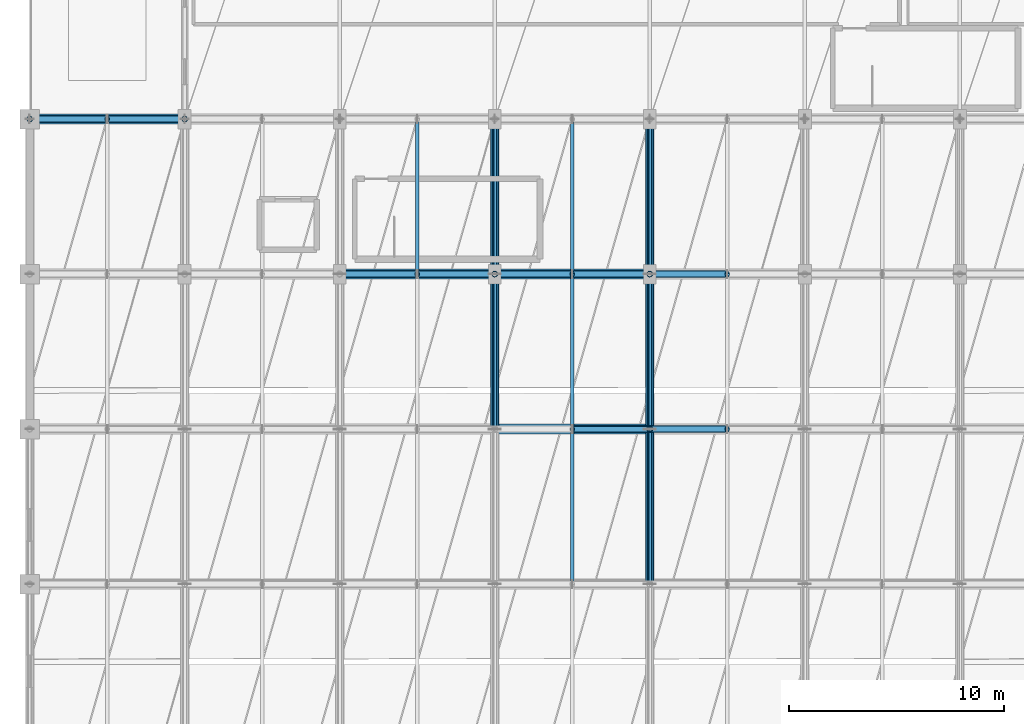
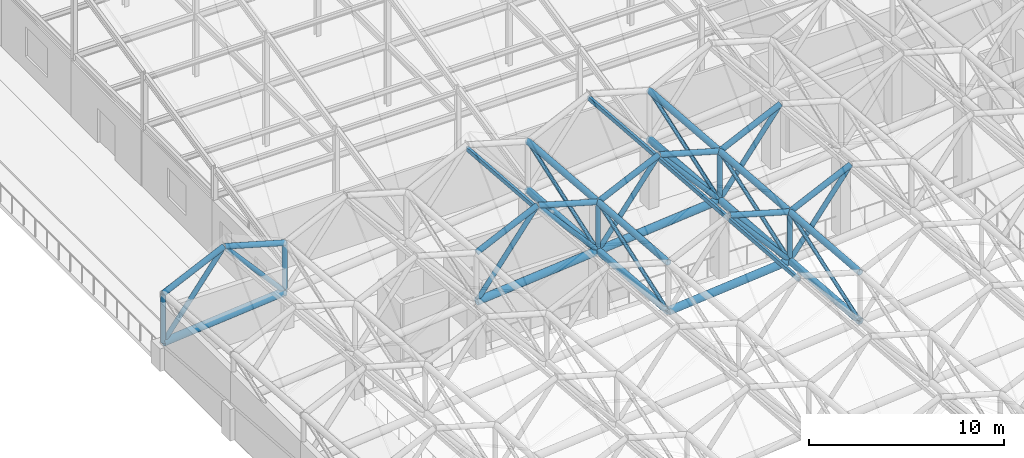
# One storey, part 24 of 113: 46 members.
"""IFC4 building model written with IfcOpenShell, lengths in metres."""

from ifc_helpers import new_model, si_unit, direction, frame, origin, origin_2d, place, context, subcontext, project, spatial, hollow_rectangle, hollow_circle, extrude, material, material_profile, profile_set, type_object, element, save


model = new_model("IFC4")

# Units and contexts
model_context = context("Model", 3, precision=1e-05, world=origin(), true_north=direction((0.0, 1.0)))
body_context = subcontext(model_context, "Body", "Model", "MODEL_VIEW")
ifc_project = project(units=[si_unit("LENGTHUNIT", "METRE"), si_unit("AREAUNIT", "SQUARE_METRE"), si_unit("VOLUMEUNIT", "CUBIC_METRE"), si_unit("PLANEANGLEUNIT", "RADIAN"), si_unit("MASSUNIT", "GRAM", prefix="KILO")], contexts=[model_context])

# Site, building, storey
site_placement = place(None, origin())
site = spatial("IfcSite", under=ifc_project, at=site_placement, CompositionType="ELEMENT")
building_placement = place(site_placement, origin())
building = spatial("IfcBuilding", under=site, at=building_placement, Name="Carrowvane Square Congress Hotel", CompositionType="ELEMENT")
storey_placement = place(building_placement, frame((0.0, 0.0, 15.0)))
storey = spatial("IfcBuildingStorey", under=building, at=storey_placement, Name="L03", CompositionType="ELEMENT", Elevation=15.0)

# Members
ifc_material_1 = material(Name="Steel S355", Category="steel")
ifc_material_profile_1 = material_profile(ifc_material_1, hollow_rectangle(XDim=0.14990234375, YDim=0.25, WallThickness=0.012451171875, at=origin_2d()), Name="RHS 250x150x12.5")
ifc_profile_set_1 = profile_set([ifc_material_profile_1], Name="Steel S355")
member_type_1 = type_object("IfcMemberType", Name="MEM-PR-RHS250", PredefinedType="PURLIN", material=ifc_profile_set_1)
for number, where, z_axis, x_axis, name in (
    (1, (29.60009765625, 48.60009765625, 7.82421875), (0.0, 0.996866873479, -0.079097639413), (-1.0, 0.0, 0.0), "Space-frame ridge purlin 469"),
    (2, (36.800048828125, 34.199951171875, 9.624267578125), (0.0, 0.996866873479, -0.079097639413), (-1.0, 0.0, 0.0), "Space-frame ridge purlin 474"),
):
    element("IfcMember", number, at=place(storey_placement, frame(where, z_axis=z_axis, x_axis=x_axis)), inside=storey, type_object=member_type_1, Name=name, PredefinedType="PURLIN", context=body_context, shape_type="SweptSolid", body=[
        extrude(hollow_rectangle(XDim=0.14990234375, YDim=0.25, WallThickness=0.012451171875, at=origin_2d()), origin(), (0.0, 0.0, 1.0), 7.22265625),
    ])
member_1_placement = place(storey_placement, frame((36.800048828125, 41.39990234375, 9.052978515625), z_axis=(0.0, 0.996864419257, -0.079128563864), x_axis=(-1.0, 0.0, 0.0)))
element("IfcMember", 3, at=member_1_placement, inside=storey, type_object=member_type_1, Name="Space-frame ridge purlin 475", PredefinedType="PURLIN", context=body_context, shape_type="SweptSolid", body=[
    extrude(hollow_rectangle(XDim=0.14990234375, YDim=0.25, WallThickness=0.012451171875, at=origin_2d()), origin(), (0.0, 0.0, 1.0), 7.222900390625),
])
member_2_placement = place(storey_placement, frame((36.800048828125, 48.60009765625, 8.4814453125), z_axis=(0.0, 0.996864207606, -0.079131230206), x_axis=(-1.0, 0.0, 0.0)))
element("IfcMember", 4, at=member_2_placement, inside=storey, type_object=member_type_1, Name="Space-frame ridge purlin 476", PredefinedType="PURLIN", context=body_context, shape_type="SweptSolid", body=[
    extrude(hollow_rectangle(XDim=0.14990234375, YDim=0.25, WallThickness=0.012451171875, at=origin_2d()), origin(), (0.0, 0.0, 1.0), 7.22265625),
])
ifc_material_2 = material(Name="Steel S355", Category="steel")
ifc_material_profile_2 = material_profile(ifc_material_2, hollow_circle(Radius=0.136474609375, WallThickness=0.01611328125, at=origin_2d()), Name="CHS 273.0x16")
ifc_profile_set_2 = profile_set([ifc_material_profile_2], Name="Steel S355")
member_type_2 = type_object("IfcMemberType", Name="MEM-ST-CHS273", PredefinedType="STRUT", material=ifc_profile_set_2)
for number, where, z_axis, x_axis, name in (
    (5, (11.60009765625, 55.800048828125, 1.419921875), (0.0, 0.0, 1.0), (1.0, 0.0, 0.0), "Space-frame vertical post 505"),
    (6, (18.800048828125, 55.800048828125, 2.0771484375), (0.0, 0.0, 1.0), (1.0, 0.0, 0.0), "Space-frame vertical post 513"),
    (7, (33.199951171875, 48.60009765625, 3.962890625), (0.0, 0.0, 1.0), (1.0, 0.0, 0.0), "Space-frame vertical post 528"),
    (8, (40.39990234375, 41.39990234375, 5.19140625), (0.0, 0.0, 1.0), (1.0, 0.0, 0.0), "Space-frame vertical post 535"),
):
    element("IfcMember", number, at=place(storey_placement, frame(where, z_axis=z_axis, x_axis=x_axis)), inside=storey, type_object=member_type_2, Name=name, PredefinedType="STRUT", context=body_context, shape_type="SweptSolid", body=[
        extrude(hollow_circle(Radius=0.136474609375, WallThickness=0.01611328125, at=origin_2d()), origin(), (0.0, 0.0, 1.0), 3.050048828125),
    ])
member_3_placement = place(storey_placement, frame((40.39990234375, 48.60009765625, 4.6201171875), z_axis=(0.0, 0.0, 1.0), x_axis=(1.0, 0.0, 0.0)))
element("IfcMember", 9, at=member_3_placement, inside=storey, type_object=member_type_2, Name="Space-frame vertical post 536", PredefinedType="STRUT", context=body_context, shape_type="SweptSolid", body=[
    extrude(hollow_circle(Radius=0.136474609375, WallThickness=0.01611328125, at=origin_2d()), origin(), (0.0, 0.0, 1.0), 3.0498046875),
])
ifc_material_3 = material(Name="Steel S355", Category="steel")
ifc_material_profile_3 = material_profile(ifc_material_3, hollow_circle(Radius=0.161865234375, WallThickness=0.01611328125, at=origin_2d()), Name="CHS 323.9x16")
ifc_profile_set_3 = profile_set([ifc_material_profile_3], Name="Steel S355")
member_type_3 = type_object("IfcMemberType", Name="MEM-TC-CHS324", PredefinedType="CHORD", material=ifc_profile_set_3)
member_4_placement = place(storey_placement, frame((36.800048828125, 41.39990234375, 9.27294921875), z_axis=(0.961314549928, 0.0, -0.275452965307), x_axis=(0.0, 1.0, 0.0)))
element("IfcMember", 10, at=member_4_placement, inside=storey, type_object=member_type_3, Name="Space-frame folded top chord 361", PredefinedType="CHORD", context=body_context, shape_type="SweptSolid", body=[
    extrude(hollow_circle(Radius=0.161865234375, WallThickness=0.01611328125, at=origin_2d()), origin(), (0.0, 0.0, 1.0), 3.74462890625),
])
for number, where, z_axis, x_axis, name in (
    (11, (40.39990234375, 41.39990234375, 8.241455078125), (0.905368957574, 0.0, 0.424625777199), (0.0, 1.0, 0.0), "Space-frame folded top chord 365"),
    (12, (26.0, 48.60009765625, 6.355712890625), (0.905368957574, 0.0, 0.424625777199), (0.0, 1.0, 0.0), "Space-frame folded top chord 390"),
):
    element("IfcMember", number, at=place(storey_placement, frame(where, z_axis=z_axis, x_axis=x_axis)), inside=storey, type_object=member_type_3, Name=name, PredefinedType="CHORD", context=body_context, shape_type="SweptSolid", body=[
        extrude(hollow_circle(Radius=0.161865234375, WallThickness=0.01611328125, at=origin_2d()), origin(), (0.0, 0.0, 1.0), 3.976318359375),
    ])
member_5_placement = place(storey_placement, frame((29.60009765625, 48.60009765625, 8.044189453125), z_axis=(0.961331812043, 0.0, -0.275392714416), x_axis=(0.0, 1.0, 0.0)))
element("IfcMember", 13, at=member_5_placement, inside=storey, type_object=member_type_3, Name="Space-frame folded top chord 391", PredefinedType="CHORD", context=body_context, shape_type="SweptSolid", body=[
    extrude(hollow_circle(Radius=0.161865234375, WallThickness=0.01611328125, at=origin_2d()), origin(), (0.0, 0.0, 1.0), 3.74462890625),
])
member_6_placement = place(storey_placement, frame((33.199951171875, 48.60009765625, 7.012939453125), z_axis=(0.905368957574, 0.0, 0.424625777199), x_axis=(0.0, 1.0, 0.0)))
element("IfcMember", 14, at=member_6_placement, inside=storey, type_object=member_type_3, Name="Space-frame folded top chord 395", PredefinedType="CHORD", context=body_context, shape_type="SweptSolid", body=[
    extrude(hollow_circle(Radius=0.161865234375, WallThickness=0.01611328125, at=origin_2d()), origin(), (0.0, 0.0, 1.0), 3.976318359375),
])
member_7_placement = place(storey_placement, frame((36.800048828125, 48.60009765625, 8.701416015625), z_axis=(0.961314549928, 0.0, -0.275452965307), x_axis=(0.0, 1.0, 0.0)))
element("IfcMember", 15, at=member_7_placement, inside=storey, type_object=member_type_3, Name="Space-frame folded top chord 396", PredefinedType="CHORD", context=body_context, shape_type="SweptSolid", body=[
    extrude(hollow_circle(Radius=0.161865234375, WallThickness=0.01611328125, at=origin_2d()), origin(), (0.0, 0.0, 1.0), 3.74462890625),
])
member_8_placement = place(storey_placement, frame((40.39990234375, 48.60009765625, 7.669921875), z_axis=(0.905345352914, 0.0, 0.424676102408), x_axis=(0.0, 1.0, 0.0)))
element("IfcMember", 16, at=member_8_placement, inside=storey, type_object=member_type_3, Name="Space-frame folded top chord 400", PredefinedType="CHORD", context=body_context, shape_type="SweptSolid", body=[
    extrude(hollow_circle(Radius=0.161865234375, WallThickness=0.01611328125, at=origin_2d()), origin(), (0.0, 0.0, 1.0), 3.9765625),
])
member_9_placement = place(storey_placement, frame((11.60009765625, 55.800048828125, 4.469970703125), z_axis=(0.905334279236, 0.0, 0.424699709018), x_axis=(0.0, 1.0, 0.0)))
element("IfcMember", 17, at=member_9_placement, inside=storey, type_object=member_type_3, Name="Space-frame folded top chord 415", PredefinedType="CHORD", context=body_context, shape_type="SweptSolid", body=[
    extrude(hollow_circle(Radius=0.161865234375, WallThickness=0.01611328125, at=origin_2d()), origin(), (0.0, 0.0, 1.0), 3.976318359375),
])
member_10_placement = place(storey_placement, frame((15.199951171875, 55.800048828125, 6.15869140625), z_axis=(0.961319496164, 0.0, -0.275435702651), x_axis=(0.0, 1.0, 0.0)))
element("IfcMember", 18, at=member_10_placement, inside=storey, type_object=member_type_3, Name="Space-frame folded top chord 416", PredefinedType="CHORD", context=body_context, shape_type="SweptSolid", body=[
    extrude(hollow_circle(Radius=0.161865234375, WallThickness=0.01611328125, at=origin_2d()), origin(), (0.0, 0.0, 1.0), 3.744873046875),
])
ifc_material_4 = material(Name="Steel S355", Category="steel")
ifc_material_profile_4 = material_profile(ifc_material_4, hollow_circle(Radius=0.177734375, WallThickness=0.02001953125, at=origin_2d()), Name="CHS 355.6x20")
ifc_profile_set_4 = profile_set([ifc_material_profile_4], Name="Steel S355")
member_type_4 = type_object("IfcMemberType", Name="MEM-TC-CHS356", PredefinedType="CHORD", material=ifc_profile_set_4)
member_11_placement = place(storey_placement, frame((33.199951171875, 41.39990234375, 7.584228515625), z_axis=(0.0, 0.996867084951, -0.079094974189), x_axis=(-1.0, 0.0, 0.0)))
element("IfcMember", 19, at=member_11_placement, inside=storey, type_object=member_type_4, Name="Space-frame valley top chord 79", PredefinedType="CHORD", context=body_context, shape_type="SweptSolid", body=[
    extrude(hollow_circle(Radius=0.177734375, WallThickness=0.02001953125, at=origin_2d()), origin(), (0.0, 0.0, 1.0), 7.222900390625),
])
for number, where, z_axis, x_axis, name in (
    (20, (33.199951171875, 48.60009765625, 7.012939453125), (0.0, 0.996864207606, -0.079131230206), (-1.0, 0.0, 0.0), "Space-frame valley top chord 82"),
    (21, (40.39990234375, 34.199951171875, 8.812744140625), (0.0, 0.996866873479, -0.079097639413), (-1.0, 0.0, 0.0), "Space-frame valley top chord 97"),
):
    element("IfcMember", number, at=place(storey_placement, frame(where, z_axis=z_axis, x_axis=x_axis)), inside=storey, type_object=member_type_4, Name=name, PredefinedType="CHORD", context=body_context, shape_type="SweptSolid", body=[
        extrude(hollow_circle(Radius=0.177734375, WallThickness=0.02001953125, at=origin_2d()), origin(), (0.0, 0.0, 1.0), 7.22265625),
    ])
member_12_placement = place(storey_placement, frame((40.39990234375, 41.39990234375, 8.241455078125), z_axis=(0.0, 0.996864419257, -0.079128563864), x_axis=(-1.0, 0.0, 0.0)))
element("IfcMember", 22, at=member_12_placement, inside=storey, type_object=member_type_4, Name="Space-frame valley top chord 100", PredefinedType="CHORD", context=body_context, shape_type="SweptSolid", body=[
    extrude(hollow_circle(Radius=0.177734375, WallThickness=0.02001953125, at=origin_2d()), origin(), (0.0, 0.0, 1.0), 7.222900390625),
])
member_13_placement = place(storey_placement, frame((40.39990234375, 48.60009765625, 7.669921875), z_axis=(0.0, 0.996866873479, -0.079097639413), x_axis=(-1.0, 0.0, 0.0)))
element("IfcMember", 23, at=member_13_placement, inside=storey, type_object=member_type_4, Name="Space-frame valley top chord 103", PredefinedType="CHORD", context=body_context, shape_type="SweptSolid", body=[
    extrude(hollow_circle(Radius=0.177734375, WallThickness=0.02001953125, at=origin_2d()), origin(), (0.0, 0.0, 1.0), 7.22265625),
])
ifc_material_5 = material(Name="Steel S355", Category="steel")
ifc_material_profile_5 = material_profile(ifc_material_5, hollow_circle(Radius=0.203125, WallThickness=0.02001953125, at=origin_2d()), Name="CHS 406.4x20")
ifc_profile_set_5 = profile_set([ifc_material_profile_5], Name="Steel S355")
member_type_5 = type_object("IfcMemberType", Name="MEM-TC-CHS406", PredefinedType="CHORD", material=ifc_profile_set_5)
member_14_placement = place(storey_placement, frame((33.199951171875, 41.39990234375, 4.5341796875), z_axis=(0.0, 0.996867084951, -0.079094974189), x_axis=(-1.0, 0.0, 0.0)))
element("IfcMember", 24, at=member_14_placement, inside=storey, type_object=member_type_5, Name="Space-frame bottom chord 80", PredefinedType="CHORD", context=body_context, shape_type="SweptSolid", body=[
    extrude(hollow_circle(Radius=0.203125, WallThickness=0.02001953125, at=origin_2d()), origin(), (0.0, 0.0, 1.0), 7.222900390625),
])
for number, where, z_axis, x_axis, name in (
    (25, (33.199951171875, 48.60009765625, 3.962890625), (0.0, 0.996864207606, -0.079131230206), (-1.0, 0.0, 0.0), "Space-frame bottom chord 83"),
    (26, (40.39990234375, 34.199951171875, 5.762939453125), (0.0, 0.996864207606, -0.079131230206), (-1.0, 0.0, 0.0), "Space-frame bottom chord 98"),
):
    element("IfcMember", number, at=place(storey_placement, frame(where, z_axis=z_axis, x_axis=x_axis)), inside=storey, type_object=member_type_5, Name=name, PredefinedType="CHORD", context=body_context, shape_type="SweptSolid", body=[
        extrude(hollow_circle(Radius=0.203125, WallThickness=0.02001953125, at=origin_2d()), origin(), (0.0, 0.0, 1.0), 7.22265625),
    ])
member_15_placement = place(storey_placement, frame((40.39990234375, 41.39990234375, 5.19140625), z_axis=(0.0, 0.996867084951, -0.079094974189), x_axis=(-1.0, 0.0, 0.0)))
element("IfcMember", 27, at=member_15_placement, inside=storey, type_object=member_type_5, Name="Space-frame bottom chord 101", PredefinedType="CHORD", context=body_context, shape_type="SweptSolid", body=[
    extrude(hollow_circle(Radius=0.203125, WallThickness=0.02001953125, at=origin_2d()), origin(), (0.0, 0.0, 1.0), 7.222900390625),
])
member_16_placement = place(storey_placement, frame((40.39990234375, 48.60009765625, 4.6201171875), z_axis=(0.0, 0.996864207606, -0.079131230206), x_axis=(-1.0, 0.0, 0.0)))
element("IfcMember", 28, at=member_16_placement, inside=storey, type_object=member_type_5, Name="Space-frame bottom chord 104", PredefinedType="CHORD", context=body_context, shape_type="SweptSolid", body=[
    extrude(hollow_circle(Radius=0.203125, WallThickness=0.02001953125, at=origin_2d()), origin(), (0.0, 0.0, 1.0), 7.22265625),
])
ifc_material_6 = material(Name="Steel S355", Category="steel")
ifc_material_profile_6 = material_profile(ifc_material_6, hollow_circle(Radius=0.228515625, WallThickness=0.02490234375, at=origin_2d()), Name="CHS 457.0x25")
ifc_profile_set_6 = profile_set([ifc_material_profile_6], Name="Steel S355")
member_type_6 = type_object("IfcMemberType", Name="MEM-TC-CHS457", PredefinedType="CHORD", material=ifc_profile_set_6)
for number, where, z_axis, x_axis, name in (
    (29, (33.199951171875, 41.39990234375, 4.5341796875), (0.995859646859, 0.0, 0.090904145988), (0.0, 1.0, 0.0), "Space-frame cross bottom chord 359"),
    (30, (26.0, 48.60009765625, 3.3056640625), (0.995859646859, 0.0, 0.090904145988), (0.0, 1.0, 0.0), "Space-frame cross bottom chord 389"),
    (31, (33.199951171875, 48.60009765625, 3.962890625), (0.995859646859, 0.0, 0.090904145988), (0.0, 1.0, 0.0), "Space-frame cross bottom chord 394"),
    (32, (11.60009765625, 55.800048828125, 1.419921875), (0.995859646859, 0.0, 0.090904145988), (0.0, 1.0, 0.0), "Space-frame cross bottom chord 414"),
):
    element("IfcMember", number, at=place(storey_placement, frame(where, z_axis=z_axis, x_axis=x_axis)), inside=storey, type_object=member_type_6, Name=name, PredefinedType="CHORD", context=body_context, shape_type="SweptSolid", body=[
        extrude(hollow_circle(Radius=0.228515625, WallThickness=0.02490234375, at=origin_2d()), origin(), (0.0, 0.0, 1.0), 7.22998046875),
    ])
ifc_material_7 = material(Name="Steel S355", Category="steel")
ifc_material_profile_7 = material_profile(ifc_material_7, hollow_circle(Radius=0.109619140625, WallThickness=0.012451171875, at=origin_2d()), Name="CHS 219.1x12.5")
ifc_profile_set_7 = profile_set([ifc_material_profile_7], Name="Steel S355")
member_type_7 = type_object("IfcMemberType", Name="MEM-TD-CHS219", PredefinedType="BRACE", material=ifc_profile_set_7)
member_17_placement = place(storey_placement, frame((33.199951171875, 41.39990234375, 4.5341796875), z_axis=(0.0, 0.945537424098, 0.325513409293), x_axis=(-1.0, 0.0, 0.0)))
element("IfcMember", 33, at=member_17_placement, inside=storey, type_object=member_type_7, Name="Space-frame web diagonal 81", PredefinedType="BRACE", context=body_context, shape_type="SweptSolid", body=[
    extrude(hollow_circle(Radius=0.109619140625, WallThickness=0.012451171875, at=origin_2d()), origin(), (0.0, 0.0, 1.0), 7.614990234375),
])
for number, where, z_axis, x_axis, name in (
    (34, (33.199951171875, 48.60009765625, 3.962890625), (0.0, 0.945543894884, 0.325494612623), (-1.0, 0.0, 0.0), "Space-frame web diagonal 84"),
    (35, (40.39990234375, 34.199951171875, 5.762939453125), (0.0, 0.945543894884, 0.325494612623), (-1.0, 0.0, 0.0), "Space-frame web diagonal 99"),
):
    element("IfcMember", number, at=place(storey_placement, frame(where, z_axis=z_axis, x_axis=x_axis)), inside=storey, type_object=member_type_7, Name=name, PredefinedType="BRACE", context=body_context, shape_type="SweptSolid", body=[
        extrude(hollow_circle(Radius=0.109619140625, WallThickness=0.012451171875, at=origin_2d()), origin(), (0.0, 0.0, 1.0), 7.614501953125),
    ])
member_18_placement = place(storey_placement, frame((40.39990234375, 41.39990234375, 5.19140625), z_axis=(0.0, 0.945547291607, 0.325484745165), x_axis=(-1.0, 0.0, 0.0)))
element("IfcMember", 36, at=member_18_placement, inside=storey, type_object=member_type_7, Name="Space-frame web diagonal 102", PredefinedType="BRACE", context=body_context, shape_type="SweptSolid", body=[
    extrude(hollow_circle(Radius=0.109619140625, WallThickness=0.012451171875, at=origin_2d()), origin(), (0.0, 0.0, 1.0), 7.61474609375),
])
member_19_placement = place(storey_placement, frame((40.39990234375, 48.60009765625, 4.6201171875), z_axis=(0.0, 0.945543894884, 0.325494612623), x_axis=(-1.0, 0.0, 0.0)))
element("IfcMember", 37, at=member_19_placement, inside=storey, type_object=member_type_7, Name="Space-frame web diagonal 105", PredefinedType="BRACE", context=body_context, shape_type="SweptSolid", body=[
    extrude(hollow_circle(Radius=0.109619140625, WallThickness=0.012451171875, at=origin_2d()), origin(), (0.0, 0.0, 1.0), 7.614501953125),
])
ifc_material_8 = material(Name="Steel S355", Category="steel")
ifc_material_profile_8 = material_profile(ifc_material_8, hollow_circle(Radius=0.136474609375, WallThickness=0.01611328125, at=origin_2d()), Name="CHS 273.0x16")
ifc_profile_set_8 = profile_set([ifc_material_profile_8], Name="Steel S355")
member_type_8 = type_object("IfcMemberType", Name="MEM-TD-CHS273", PredefinedType="BRACE", material=ifc_profile_set_8)
member_20_placement = place(storey_placement, frame((40.39990234375, 41.39990234375, 5.19140625), z_axis=(-0.661465833466, 0.0, 0.749975300365), x_axis=(0.0, -1.0, 0.0)))
element("IfcMember", 38, at=member_20_placement, inside=storey, type_object=member_type_8, Name="Space-frame space diagonal 363", PredefinedType="BRACE", context=body_context, shape_type="SweptSolid", body=[
    extrude(hollow_circle(Radius=0.136474609375, WallThickness=0.01611328125, at=origin_2d()), origin(), (0.0, 0.0, 1.0), 5.442138671875),
])
for number, where, z_axis, x_axis, name in (
    (39, (40.39990234375, 41.39990234375, 5.19140625), (0.604957396698, 0.0, 0.796257840263), (0.0, 1.0, 0.0), "Space-frame space diagonal 367"),
    (40, (26.0, 48.60009765625, 3.3056640625), (0.604957396698, 0.0, 0.796257840263), (0.0, 1.0, 0.0), "Space-frame space diagonal 392"),
):
    element("IfcMember", number, at=place(storey_placement, frame(where, z_axis=z_axis, x_axis=x_axis)), inside=storey, type_object=member_type_8, Name=name, PredefinedType="BRACE", context=body_context, shape_type="SweptSolid", body=[
        extrude(hollow_circle(Radius=0.136474609375, WallThickness=0.01611328125, at=origin_2d()), origin(), (0.0, 0.0, 1.0), 5.950927734375),
    ])
member_21_placement = place(storey_placement, frame((33.199951171875, 48.60009765625, 3.962890625), z_axis=(-0.661488088381, 0.0, 0.74995567131), x_axis=(0.0, -1.0, 0.0)))
element("IfcMember", 41, at=member_21_placement, inside=storey, type_object=member_type_8, Name="Space-frame space diagonal 393", PredefinedType="BRACE", context=body_context, shape_type="SweptSolid", body=[
    extrude(hollow_circle(Radius=0.136474609375, WallThickness=0.01611328125, at=origin_2d()), origin(), (0.0, 0.0, 1.0), 5.442138671875),
])
member_22_placement = place(storey_placement, frame((33.199951171875, 48.60009765625, 3.962890625), z_axis=(0.604957396698, 0.0, 0.796257840263), x_axis=(0.0, 1.0, 0.0)))
element("IfcMember", 42, at=member_22_placement, inside=storey, type_object=member_type_8, Name="Space-frame space diagonal 397", PredefinedType="BRACE", context=body_context, shape_type="SweptSolid", body=[
    extrude(hollow_circle(Radius=0.136474609375, WallThickness=0.01611328125, at=origin_2d()), origin(), (0.0, 0.0, 1.0), 5.950927734375),
])
member_23_placement = place(storey_placement, frame((40.39990234375, 48.60009765625, 4.6201171875), z_axis=(-0.661488088381, 0.0, 0.74995567131), x_axis=(0.0, -1.0, 0.0)))
element("IfcMember", 43, at=member_23_placement, inside=storey, type_object=member_type_8, Name="Space-frame space diagonal 398", PredefinedType="BRACE", context=body_context, shape_type="SweptSolid", body=[
    extrude(hollow_circle(Radius=0.136474609375, WallThickness=0.01611328125, at=origin_2d()), origin(), (0.0, 0.0, 1.0), 5.442138671875),
])
for number, where, z_axis, x_axis, name in (
    (44, (40.39990234375, 48.60009765625, 4.6201171875), (0.604957396698, 0.0, 0.796257840263), (0.0, 1.0, 0.0), "Space-frame space diagonal 402"),
    (45, (11.60009765625, 55.800048828125, 1.419921875), (0.604911623084, 0.0, 0.79629261472), (0.0, 1.0, 0.0), "Space-frame space diagonal 417"),
):
    element("IfcMember", number, at=place(storey_placement, frame(where, z_axis=z_axis, x_axis=x_axis)), inside=storey, type_object=member_type_8, Name=name, PredefinedType="BRACE", context=body_context, shape_type="SweptSolid", body=[
        extrude(hollow_circle(Radius=0.136474609375, WallThickness=0.01611328125, at=origin_2d()), origin(), (0.0, 0.0, 1.0), 5.950927734375),
    ])
member_24_placement = place(storey_placement, frame((18.800048828125, 55.800048828125, 2.0771484375), z_axis=(-0.661491064627, 0.0, 0.749953046143), x_axis=(0.0, -1.0, 0.0)))
element("IfcMember", 46, at=member_24_placement, inside=storey, type_object=member_type_8, Name="Space-frame space diagonal 418", PredefinedType="BRACE", context=body_context, shape_type="SweptSolid", body=[
    extrude(hollow_circle(Radius=0.136474609375, WallThickness=0.01611328125, at=origin_2d()), origin(), (0.0, 0.0, 1.0), 5.4423828125),
])

save(model, "model.ifc")
